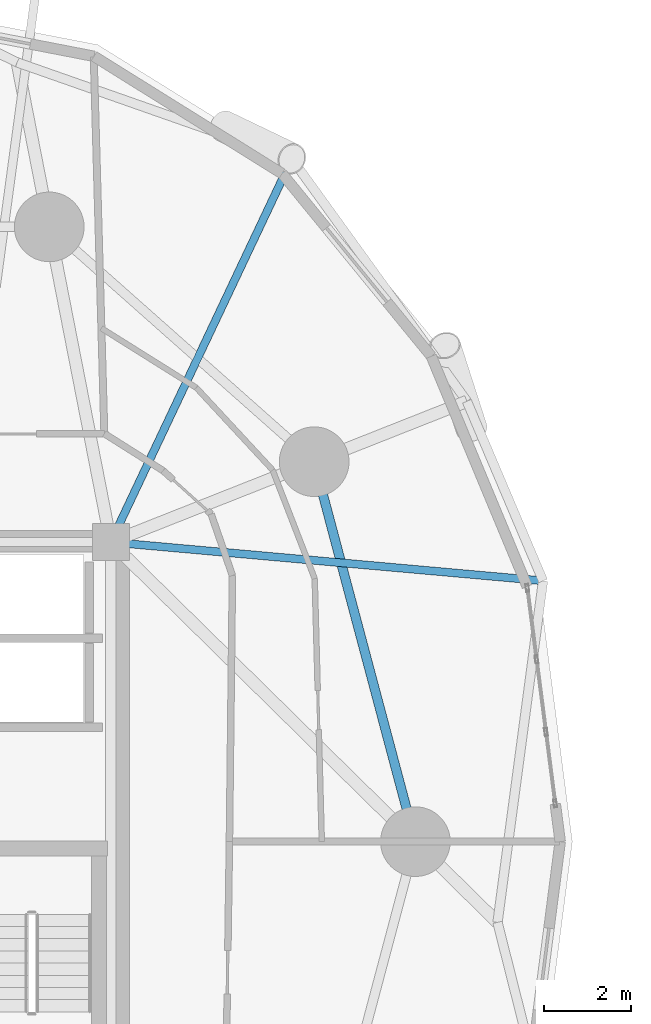
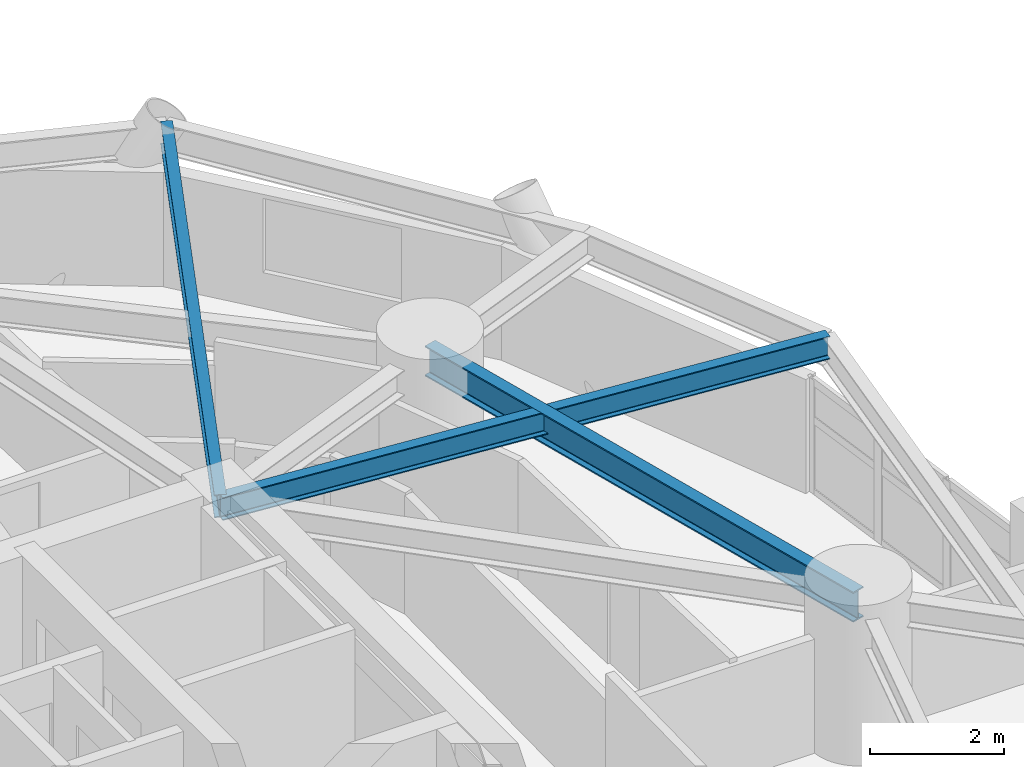
# One storey, part 3 of 18: 3 beams.
"""IFC4 building model written with IfcOpenShell, lengths in metres."""

import ifcopenshell
import ifcopenshell.guid

model = None  # the IFC model being written
_history = None  # IfcOwnerHistory: only IFC2X3 demands one
_inside = {}  # id of a spatial element -> (the spatial element, [elements in it])
_under = {}  # id of a project, library or spatial element -> (it, [spatial elements below it])
_declared = {}  # id of a project -> (the project, [libraries it declares])
_typed = {}  # id of a type object -> (the type object, [elements of that type])
_made_of = {}  # id of a material, layer set ... -> (it, [elements and type objects made of it])


def new_model(schema):
    """Start an empty IFC model of exactly this schema.

    Asked for "IFC4X3", IfcOpenShell would pick the latest addendum, in which some entities
    have other attributes; the version numbers below select the first issue.
    IFC2X3 requires an IfcOwnerHistory on every rooted entity: one is made here for all.
    """
    global model, _history
    if schema == "IFC4X3":
        model = ifcopenshell.file(schema_version=(4, 3, 0, 0))
    else:
        model = ifcopenshell.file(schema=schema)
    _inside.clear()
    _under.clear()
    _declared.clear()
    _typed.clear()
    _made_of.clear()
    _history = None
    if model.schema == "IFC2X3":
        org = make("IfcOrganization", Name="unknown")
        user = make(
            "IfcPersonAndOrganization",
            ThePerson=make("IfcPerson", FamilyName="unknown"),
            TheOrganization=org,
        )
        app = make(
            "IfcApplication",
            ApplicationDeveloper=org,
            Version="unknown",
            ApplicationFullName="unknown",
            ApplicationIdentifier="unknown",
        )
        _history = make(
            "IfcOwnerHistory",
            OwningUser=user,
            OwningApplication=app,
            ChangeAction="ADDED",
            CreationDate=0,
        )
    return model


def make(cls, **values):
    """One entity of the class cls with the attributes given. An attribute that is None is left unset."""
    return model.create_entity(
        cls, **{name: value for name, value in values.items() if value is not None}
    )


def rooted(cls, **values):
    """An entity with a GlobalId (a new one), such as an element, a storey or a relation."""
    return make(cls, GlobalId=ifcopenshell.guid.new(), OwnerHistory=_history, **values)


def si_unit(unit_type, name, prefix=None):
    """IfcSIUnit, for example si_unit("LENGTHUNIT", "METRE", prefix="MILLI")."""
    return make("IfcSIUnit", UnitType=unit_type, Prefix=prefix, Name=name)


def assignment(units):
    """IfcUnitAssignment: the units of a project."""
    return None if units is None else make("IfcUnitAssignment", Units=units)


def point(xyz):
    """IfcCartesianPoint."""
    return None if xyz is None else make("IfcCartesianPoint", Coordinates=xyz)


def direction(xyz):
    """IfcDirection."""
    return None if xyz is None else make("IfcDirection", DirectionRatios=xyz)


def frame(location, z_axis=None, x_axis=None):
    """IfcAxis2Placement3D, a coordinate frame: its origin and axes. An axis left out is left unset."""
    return make(
        "IfcAxis2Placement3D",
        Location=point(location),
        Axis=direction(z_axis),
        RefDirection=direction(x_axis),
    )


def frame_2d(location, x_axis=None):
    """IfcAxis2Placement2D, a coordinate frame in the plane: its origin and x axis."""
    return make(
        "IfcAxis2Placement2D", Location=point(location), RefDirection=direction(x_axis)
    )


def origin():
    """The frame at (0, 0, 0) with its axes left unset."""
    return frame((0.0, 0.0, 0.0))


def origin_2d():
    """The frame at (0, 0) in the plane with its x axis left unset."""
    return frame_2d((0.0, 0.0))


def place(relative_to, where):
    """IfcLocalPlacement: puts the frame where relative to a parent placement (None: the world)."""
    return make(
        "IfcLocalPlacement", PlacementRelTo=relative_to, RelativePlacement=where
    )


def context(
    kind, dimensions, precision=None, world=None, true_north=None, identifier=None
):
    """IfcGeometricRepresentationContext, for example the 3D "Model" context."""
    return make(
        "IfcGeometricRepresentationContext",
        ContextIdentifier=identifier,
        ContextType=kind,
        CoordinateSpaceDimension=dimensions,
        Precision=precision,
        WorldCoordinateSystem=world,
        TrueNorth=true_north,
    )


def subcontext(parent, identifier, kind, view, scale=None):
    """IfcGeometricRepresentationSubContext, for example "Body" below "Model"."""
    return make(
        "IfcGeometricRepresentationSubContext",
        ContextIdentifier=identifier,
        ContextType=kind,
        ParentContext=parent,
        TargetScale=scale,
        TargetView=view,
    )


def project(units=None, contexts=None):
    """IfcProject with its units and contexts."""
    return rooted(
        "IfcProject",
        Name="project",
        RepresentationContexts=contexts,
        UnitsInContext=assignment(units),
    )


def spatial(cls, under=None, at=None, **own):
    """A site, building, storey or space (cls), placed at a placement, below another one or the project."""
    s = rooted(cls, ObjectPlacement=at, **own)
    if under is not None:
        _under.setdefault(under.id(), (under, []))[1].append(s)
    return s


def profile(cls, at=None, kind="AREA", **sizes):
    """A parametric profile (cls). Its sizes go by their IFC names, for example OverallWidth=200.0."""
    return make(cls, ProfileType=kind, Position=at, **sizes)


def i_section(**sizes):
    """IfcIShapeProfileDef."""
    return profile("IfcIShapeProfileDef", **sizes)


def extrude(swept, where, along, depth):
    """IfcExtrudedAreaSolid: the profile swept, set in the frame where, extruded along a direction by depth."""
    return make(
        "IfcExtrudedAreaSolid",
        SweptArea=swept,
        Position=where,
        ExtrudedDirection=direction(along),
        Depth=depth,
    )


def shape(context_of_items, identifier, shape_type, items):
    """IfcShapeRepresentation: the items that make up one representation, for example the "Body"."""
    return make(
        "IfcShapeRepresentation",
        ContextOfItems=context_of_items,
        RepresentationIdentifier=identifier,
        RepresentationType=shape_type,
        Items=items,
    )


def material(Name=None, Category=None):
    """IfcMaterial."""
    return make("IfcMaterial", Name=Name, Category=Category)


def material_profile(
    of_material, cross_section, Name=None, Category=None, Priority=None
):
    """IfcMaterialProfile: a cross section and its material."""
    return make(
        "IfcMaterialProfile",
        Name=Name,
        Material=of_material,
        Profile=cross_section,
        Priority=Priority,
        Category=Category,
    )


def profile_set(profiles, Name=None, composite=None):
    """IfcMaterialProfileSet."""
    return make(
        "IfcMaterialProfileSet",
        Name=Name,
        MaterialProfiles=profiles,
        CompositeProfile=composite,
    )


def made_of(thing, what):
    """Note that an element or type object is made of a material, layer set ...; save() writes the relation."""
    if what is not None:
        _made_of.setdefault(what.id(), (what, []))[1].append(thing)
    return thing


def type_object(cls, material=None, **own):
    """A type object (cls), such as IfcWallType, which elements share."""
    return made_of(rooted(cls, **own), material)


def element(
    cls,
    number,
    at=None,
    inside=None,
    cuts=None,
    type_object=None,
    material=None,
    context=None,
    identifier="Body",
    shape_type=None,
    held_by="IfcProductDefinitionShape",
    body=None,
    shapes=None,
    **own,
):
    """One element of the class cls, such as IfcWall. Its Tag is "e" and its number.

    at: its placement. inside: the storey or other place that contains it. cuts: it is an
    opening in that element (IfcRelVoidsElement). A single representation is given by context,
    identifier, shape_type and body (its items); several are given by shapes. held_by: the class
    of the entity that holds the representations. save() writes the other relations.
    """
    e = rooted(cls, Tag="e%d" % number, ObjectPlacement=at, **own)
    if body is not None:
        shapes = [shape(context, identifier, shape_type, body)]
    if shapes is not None:
        e.Representation = make(held_by, Representations=shapes)
    if inside is not None:
        _inside.setdefault(inside.id(), (inside, []))[1].append(e)
    if cuts is not None:
        rooted(
            "IfcRelVoidsElement", RelatingBuildingElement=cuts, RelatedOpeningElement=e
        )
    if type_object is not None:
        _typed.setdefault(type_object.id(), (type_object, []))[1].append(e)
    return made_of(e, material)


def aggregate(whole, parts):
    """IfcRelAggregates: a whole, such as a stair, and the parts it consists of."""
    return rooted("IfcRelAggregates", RelatingObject=whole, RelatedObjects=parts)


def save(model, path):
    """Write the relations noted so far, then the file.

    IfcRelAggregates (storeys below a building ...), IfcRelContainedInSpatialStructure (elements
    in a storey), IfcRelDefinesByType, IfcRelAssociatesMaterial and IfcRelDeclares: one each for
    every whole, place, type object, material and project.
    """
    for whole, parts in _under.values():
        aggregate(whole, parts)
    for where, things in _inside.values():
        rooted(
            "IfcRelContainedInSpatialStructure",
            RelatedElements=things,
            RelatingStructure=where,
        )
    for kind, things in _typed.values():
        rooted("IfcRelDefinesByType", RelatedObjects=things, RelatingType=kind)
    for what, things in _made_of.values():
        rooted("IfcRelAssociatesMaterial", RelatedObjects=things, RelatingMaterial=what)
    for by, libraries in _declared.values():
        rooted("IfcRelDeclares", RelatingContext=by, RelatedDefinitions=libraries)
    model.write(path)


model = new_model("IFC4")

# Units and contexts
model_context = context("Model", 3, precision=1e-05, world=origin(), true_north=direction((0.0, 1.0)))
body_context = subcontext(model_context, "Body", "Model", "MODEL_VIEW")
ifc_project = project(units=[si_unit("LENGTHUNIT", "METRE"), si_unit("AREAUNIT", "SQUARE_METRE"), si_unit("VOLUMEUNIT", "CUBIC_METRE"), si_unit("PLANEANGLEUNIT", "RADIAN"), si_unit("MASSUNIT", "GRAM", prefix="KILO")], contexts=[model_context])

# Site, building, storey
site_placement = place(None, origin())
site = spatial("IfcSite", under=ifc_project, at=site_placement, CompositionType="ELEMENT")
building_placement = place(site_placement, origin())
building = spatial("IfcBuilding", under=site, at=building_placement, Name="Cununo Teusaquillo Station Towers", CompositionType="ELEMENT")
storey_placement = place(building_placement, frame((0.0, 0.0, 45.280029296875)))
storey = spatial("IfcBuildingStorey", under=building, at=storey_placement, Name="L13", CompositionType="ELEMENT", Elevation=45.280029296875)

# Beams
ifc_material_1 = material(Name="Steel ASTM A572 Grade 50", Category="steel")
ifc_material_profile_1 = material_profile(ifc_material_1, i_section(OverallWidth=0.180908203125, OverallDepth=0.4169921875, WebThickness=0.010986328125, FlangeThickness=0.018310546875, FilletRadius=0.012939453125, at=origin_2d()), Name="W16X57")
ifc_profile_set_1 = profile_set([ifc_material_profile_1], Name="Steel ASTM A572 Grade 50")
beam_type_1 = type_object("IfcBeamType", Name="BM-JOIST-1", PredefinedType="JOIST", material=ifc_profile_set_1)
beam_1_placement = place(storey_placement, frame((21.675048828125, 31.3798828125, 2.44140625), z_axis=(0.996024214913, -0.089082901314, 0.0), x_axis=(0.089082901314, 0.996024214913, 0.0)))
element("IfcBeam", 1, at=beam_1_placement, inside=storey, type_object=beam_type_1, Name="L13 Tower A Radial Spandrel Joist V01", PredefinedType="JOIST", context=body_context, shape_type="SweptSolid", body=[
    extrude(i_section(OverallWidth=0.180908203125, OverallDepth=0.4169921875, WebThickness=0.010986328125, FlangeThickness=0.018310546875, FilletRadius=0.012939453125, at=origin_2d()), origin(), (0.0, 0.0, 1.0), 9.97021484375),
])
beam_2_placement = place(storey_placement, frame((21.675048828125, 31.3798828125, 2.44140625), z_axis=(0.427160580437, 0.904175778552, 0.0), x_axis=(-0.904175778552, 0.427160580437, 0.0)))
element("IfcBeam", 2, at=beam_2_placement, inside=storey, type_object=beam_type_1, Name="L13 Tower A Radial Spandrel Joist V03", PredefinedType="JOIST", context=body_context, shape_type="SweptSolid", body=[
    extrude(i_section(OverallWidth=0.180908203125, OverallDepth=0.4169921875, WebThickness=0.010986328125, FlangeThickness=0.018310546875, FilletRadius=0.012939453125, at=origin_2d()), origin(), (0.0, 0.0, 1.0), 9.740234375),
])
ifc_material_2 = material(Name="Steel ASTM A572 Grade 50", Category="steel")
ifc_material_profile_2 = material_profile(ifc_material_2, i_section(OverallWidth=0.214111328125, OverallDepth=0.549072265625, WebThickness=0.0146484375, FlangeThickness=0.023681640625, FilletRadius=0.014892578125, at=origin_2d()), Name="W21X93")
ifc_profile_set_2 = profile_set([ifc_material_profile_2], Name="Steel ASTM A572 Grade 50")
beam_type_2 = type_object("IfcBeamType", Name="BM-RING-Z1", PredefinedType="SPANDREL", material=ifc_profile_set_2)
beam_3_placement = place(storey_placement, frame((28.672119140625, 24.5, 2.37548828125), z_axis=(-0.257363196347, 0.966314744359, 0.0), x_axis=(-0.966314744359, -0.257363196347, 0.0)))
element("IfcBeam", 3, at=beam_3_placement, inside=storey, type_object=beam_type_2, Name="L13 Tower A Structural Column Ring Girder 01", PredefinedType="SPANDREL", context=body_context, shape_type="SweptSolid", body=[
    extrude(i_section(OverallWidth=0.214111328125, OverallDepth=0.549072265625, WebThickness=0.0146484375, FlangeThickness=0.023681640625, FilletRadius=0.014892578125, at=origin_2d()), origin(), (0.0, 0.0, 1.0), 9.03271484375),
])

save(model, "model.ifc")
